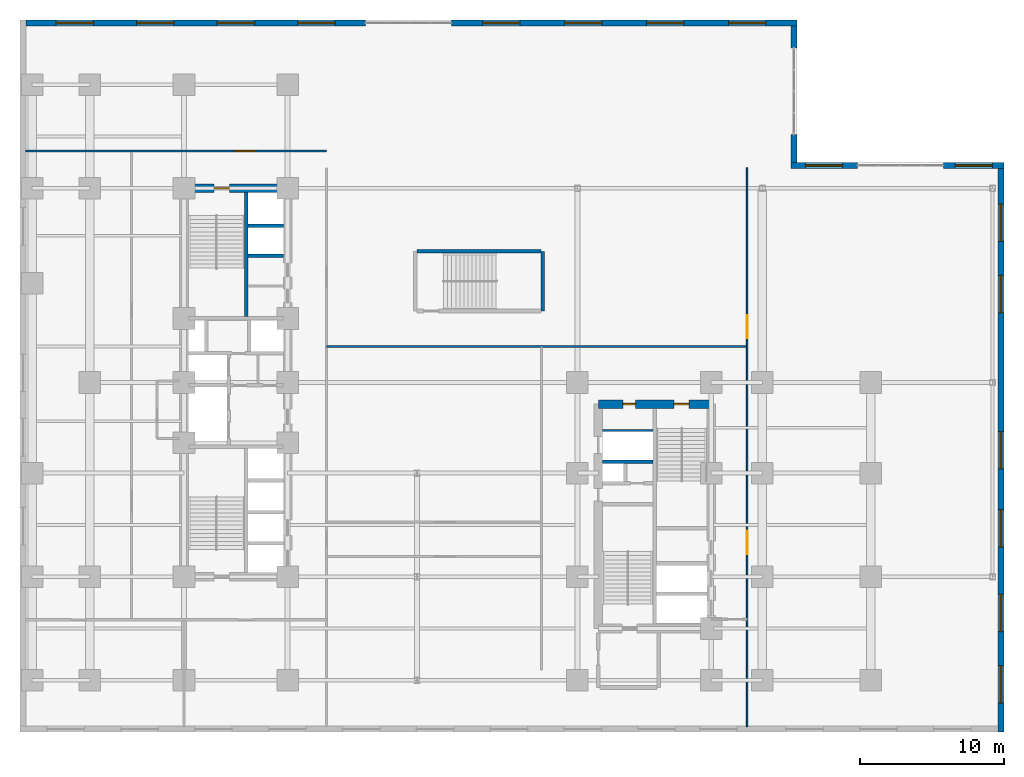
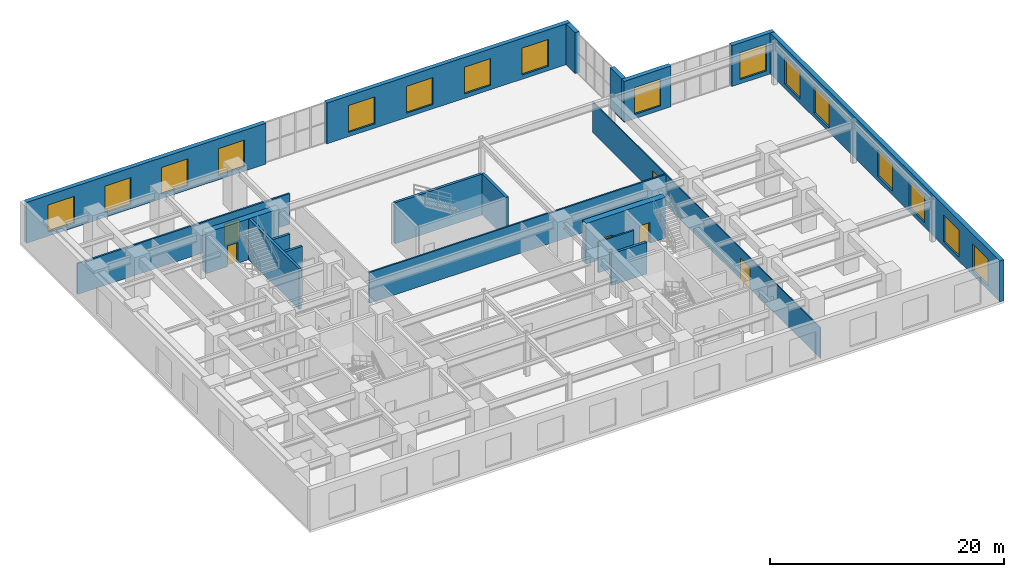
# One storey, part 11 of 15: 19 walls, 16 windows, 6 doors, 22 openings.
"""IFC4 building model written with IfcOpenShell, lengths in metres."""

from ifc_helpers import new_model, entity, si_unit, converted_unit, direction, frame, origin_with_axes, origin_2d_with_axis, place, context, subcontext, project, spatial, polyline, rectangle, outline, extrude, material, layer, layer_set, type_object, element, fill, save


model = new_model("IFC4")

# Units and contexts
model_context = context("Model", 3, precision=1e-05, world=origin_with_axes(), true_north=direction((0.0, 1.0)))
body_context = subcontext(model_context, "Body", "Model", "MODEL_VIEW")
ifc_project = project(units=[si_unit("LENGTHUNIT", "METRE"), si_unit("AREAUNIT", "SQUARE_METRE"), si_unit("VOLUMEUNIT", "CUBIC_METRE"), converted_unit("PLANEANGLEUNIT", "DEGREE", entity("IfcPlaneAngleMeasure", 0.017453292519943295), si_unit("PLANEANGLEUNIT", "RADIAN"), dimensions=[0, 0, 0, 0, 0, 0, 0]), si_unit("MASSUNIT", "GRAM", prefix="KILO"), si_unit("THERMODYNAMICTEMPERATUREUNIT", "KELVIN")], contexts=[model_context])

# Site, building, storey
site_placement = place(None, origin_with_axes())
site = spatial("IfcSite", under=ifc_project, at=site_placement, CompositionType="ELEMENT")
building_placement = place(site_placement, origin_with_axes())
building = spatial("IfcBuilding", under=site, at=building_placement, Name="Varnlund Millrace Tower", CompositionType="ELEMENT")
storey_placement = place(building_placement, frame((0.0, 0.0, 15.3), z_axis=(0.0, 0.0, 1.0), x_axis=(1.0, 0.0, 0.0)))
storey = spatial("IfcBuildingStorey", under=building, at=storey_placement, Name="L03", CompositionType="ELEMENT", Elevation=15.3)

# Wall, opening, door
ifc_material_1 = material(Name="Concrete C80/95", Category="concrete")
ifc_layer_1 = layer(ifc_material_1, 0.6, Name="Concrete C80/95")
ifc_layer_set_1 = layer_set([ifc_layer_1], Name="Concrete C80/95")
wall_type_1 = type_object("IfcWallType", Name="Type-CoreWall-Shear-600-C80", PredefinedType="SHEAR", material=ifc_layer_set_1)
wall_1_placement = place(storey_placement, frame((11.4, 37.8, 0.0), z_axis=(0.0, 0.0, 1.0), x_axis=(1.0, 0.0, 0.0)))
wall_1 = element("IfcWall", 1, at=wall_1_placement, inside=storey, type_object=wall_type_1, Name="Type-CoreWall-Shear-600-C80", PredefinedType="SHEAR", context=body_context, shape_type="SweptSolid", body=[
    extrude(outline(polyline([(0.0, -0.3), (7.2, -0.3), (7.2, 0.3), (0.0, 0.3), (0.0, -0.3)])), origin_with_axes(), (0.0, 0.0, 1.0), 4.26),
])
opening_1_placement = place(wall_1_placement, frame((2.625, 0.0, 0.0), z_axis=(0.0, 0.0, 1.0), x_axis=(1.0, 0.0, 0.0)))
opening_1 = element("IfcOpeningElement", 2, at=opening_1_placement, cuts=wall_1, Name="Opening L03:DR-STA2", PredefinedType="OPENING", context=body_context, shape_type="SweptSolid", body=[
    extrude(rectangle(XDim=1.05, YDim=0.62, at=origin_2d_with_axis()), origin_with_axes(), (0.0, 0.0, 1.0), 2.15),
])
ifc_material_2 = material(Name="Fire-rated hollow steel door", Category="steel")
door_type_1 = type_object("IfcDoorType", Name="Type-FireDoor-Stair-1050X2150", OperationType="NOTDEFINED", PredefinedType="DOOR", material=ifc_material_2)
door_1_placement = place(wall_1_placement, frame((2.625, 0.0, 0.0), z_axis=(0.0, 0.0, 1.0), x_axis=(1.0, 0.0, 0.0)))
door_1 = element("IfcDoor", 3, at=door_1_placement, inside=storey, type_object=door_type_1, Name="Type-FireDoor-Stair-1050X2150", OperationType="SINGLE_SWING_RIGHT", OverallHeight=2.15, OverallWidth=1.05, PredefinedType="DOOR", context=body_context, shape_type="SweptSolid", body=[
    extrude(rectangle(XDim=1.05, YDim=0.09, at=origin_2d_with_axis()), origin_with_axes(), (0.0, 0.0, 1.0), 2.15),
])
fill(opening_1, door_1)

# Wall, openings, doors
wall_2_placement = place(storey_placement, frame((40.2, 22.8, 0.0), z_axis=(0.0, 0.0, 1.0), x_axis=(1.0, 0.0, 0.0)))
wall_2 = element("IfcWall", 4, at=wall_2_placement, inside=storey, type_object=wall_type_1, Name="Type-CoreWall-Shear-600-C80", PredefinedType="SHEAR", context=body_context, shape_type="SweptSolid", body=[
    extrude(outline(polyline([(0.0, -0.3), (7.85, -0.3), (7.85, 0.3), (0.0, 0.3), (0.0, -0.3)])), origin_with_axes(), (0.0, 0.0, 1.0), 4.26),
])
opening_2_placement = place(wall_2_placement, frame((5.775, 0.0, 0.0), z_axis=(0.0, 0.0, 1.0), x_axis=(1.0, 0.0, 0.0)))
opening_2 = element("IfcOpeningElement", 5, at=opening_2_placement, cuts=wall_2, Name="Opening L03:DR-STB2", PredefinedType="OPENING", context=body_context, shape_type="SweptSolid", body=[
    extrude(rectangle(XDim=1.05, YDim=0.62, at=origin_2d_with_axis()), origin_with_axes(), (0.0, 0.0, 1.0), 2.15),
])
opening_3_placement = place(wall_2_placement, frame((2.15, 0.0, 0.0), z_axis=(0.0, 0.0, 1.0), x_axis=(1.0, 0.0, 0.0)))
opening_3 = element("IfcOpeningElement", 6, at=opening_3_placement, cuts=wall_2, Name="Opening L03:DR-CB-NW", PredefinedType="OPENING", context=body_context, shape_type="SweptSolid", body=[
    extrude(rectangle(XDim=0.9, YDim=0.62, at=origin_2d_with_axis()), origin_with_axes(), (0.0, 0.0, 1.0), 2.15),
])
ifc_material_3 = material(Name="Fire-rated hollow steel service closet door", Category="steel")
door_type_2 = type_object("IfcDoorType", Name="Type-FireDoor-Closet-900X2150", OperationType="NOTDEFINED", PredefinedType="DOOR", material=ifc_material_3)
door_2_placement = place(wall_2_placement, frame((2.15, 0.0, 0.0), z_axis=(0.0, 0.0, 1.0), x_axis=(1.0, 0.0, 0.0)))
door_2 = element("IfcDoor", 7, at=door_2_placement, inside=storey, type_object=door_type_2, Name="Type-FireDoor-Closet-900X2150", OperationType="SINGLE_SWING_LEFT", OverallHeight=2.15, OverallWidth=0.9, PredefinedType="DOOR", context=body_context, shape_type="SweptSolid", body=[
    extrude(rectangle(XDim=0.9, YDim=0.09, at=origin_2d_with_axis()), origin_with_axes(), (0.0, 0.0, 1.0), 2.15),
])
fill(opening_3, door_2)
door_3_placement = place(wall_2_placement, frame((5.775, 0.0, 0.0), z_axis=(0.0, 0.0, 1.0), x_axis=(1.0, 0.0, 0.0)))
door_3 = element("IfcDoor", 8, at=door_3_placement, inside=storey, type_object=door_type_1, Name="Type-FireDoor-Stair-1050X2150", OperationType="SINGLE_SWING_RIGHT", OverallHeight=2.15, OverallWidth=1.05, PredefinedType="DOOR", context=body_context, shape_type="SweptSolid", body=[
    extrude(rectangle(XDim=1.05, YDim=0.09, at=origin_2d_with_axis()), origin_with_axes(), (0.0, 0.0, 1.0), 2.15),
])
fill(opening_2, door_3)

# Wall, openings, windows
ifc_material_4 = material(Name="Precast concrete C50/60", Category="concrete")
ifc_layer_2 = layer(ifc_material_4, 0.42, Name="Precast concrete C50/60")
ifc_layer_set_2 = layer_set([ifc_layer_2], Name="Precast concrete C50/60")
wall_type_2 = type_object("IfcWallType", Name="Type-ExtWall-Precast-Pier-420", PredefinedType="SOLIDWALL", material=ifc_layer_set_2)
wall_3_placement = place(storey_placement, frame((0.42, 49.29, 0.0), z_axis=(0.0, 0.0, 1.0), x_axis=(1.0, 0.0, 0.0)))
wall_3 = element("IfcWall", 9, at=wall_3_placement, inside=storey, type_object=wall_type_2, Name="Type-ExtWall-Precast-Pier-420", PredefinedType="SOLIDWALL", context=body_context, shape_type="SweptSolid", body=[
    extrude(outline(polyline([(0.0, -0.21), (23.58, -0.21), (23.58, 0.21), (0.0, 0.21), (0.0, -0.21)])), origin_with_axes(), (0.0, 0.0, 1.0), 4.26),
])
opening_4_placement = place(wall_3_placement, frame((3.398, 0.0, 0.45), z_axis=(0.0, 0.0, 1.0), x_axis=(1.0, 0.0, 0.0)))
opening_4 = element("IfcOpeningElement", 10, at=opening_4_placement, cuts=wall_3, Name="Opening L03:WN-18", PredefinedType="OPENING", context=body_context, shape_type="SweptSolid", body=[
    extrude(rectangle(XDim=2.6, YDim=0.44, at=origin_2d_with_axis()), origin_with_axes(), (0.0, 0.0, 1.0), 2.8),
])
opening_5_placement = place(wall_3_placement, frame((8.992, 0.0, 0.45), z_axis=(0.0, 0.0, 1.0), x_axis=(1.0, 0.0, 0.0)))
opening_5 = element("IfcOpeningElement", 11, at=opening_5_placement, cuts=wall_3, Name="Opening L03:WN-19", PredefinedType="OPENING", context=body_context, shape_type="SweptSolid", body=[
    extrude(rectangle(XDim=2.6, YDim=0.44, at=origin_2d_with_axis()), origin_with_axes(), (0.0, 0.0, 1.0), 2.8),
])
opening_6_placement = place(wall_3_placement, frame((14.587, 0.0, 0.45), z_axis=(0.0, 0.0, 1.0), x_axis=(1.0, 0.0, 0.0)))
opening_6 = element("IfcOpeningElement", 12, at=opening_6_placement, cuts=wall_3, Name="Opening L03:WN-20", PredefinedType="OPENING", context=body_context, shape_type="SweptSolid", body=[
    extrude(rectangle(XDim=2.6, YDim=0.44, at=origin_2d_with_axis()), origin_with_axes(), (0.0, 0.0, 1.0), 2.8),
])
opening_7_placement = place(wall_3_placement, frame((20.183, 0.0, 0.45), z_axis=(0.0, 0.0, 1.0), x_axis=(1.0, 0.0, 0.0)))
opening_7 = element("IfcOpeningElement", 13, at=opening_7_placement, cuts=wall_3, Name="Opening L03:WN-21", PredefinedType="OPENING", context=body_context, shape_type="SweptSolid", body=[
    extrude(rectangle(XDim=2.6, YDim=0.44, at=origin_2d_with_axis()), origin_with_axes(), (0.0, 0.0, 1.0), 2.8),
])
ifc_material_5 = material(Name="Argon low-e triple glazing in thermally broken bronze frame", Category="glass")
window_type = type_object("IfcWindowType", Name="Type-Window-Podium-2600X2800", PartitioningType="SINGLE_PANEL", PredefinedType="WINDOW", material=ifc_material_5)
window_1_placement = place(wall_3_placement, frame((3.398, 0.0, 0.45), z_axis=(0.0, 0.0, 1.0), x_axis=(1.0, 0.0, 0.0)))
window_1 = element("IfcWindow", 14, at=window_1_placement, inside=storey, type_object=window_type, Name="Type-Window-Podium-2600X2800", OverallHeight=2.8, OverallWidth=2.6, PredefinedType="WINDOW", context=body_context, shape_type="SweptSolid", body=[
    extrude(rectangle(XDim=2.6, YDim=0.09, at=origin_2d_with_axis()), origin_with_axes(), (0.0, 0.0, 1.0), 2.8),
])
fill(opening_4, window_1)
window_2_placement = place(wall_3_placement, frame((8.992, 0.0, 0.45), z_axis=(0.0, 0.0, 1.0), x_axis=(1.0, 0.0, 0.0)))
window_2 = element("IfcWindow", 15, at=window_2_placement, inside=storey, type_object=window_type, Name="Type-Window-Podium-2600X2800", OverallHeight=2.8, OverallWidth=2.6, PredefinedType="WINDOW", context=body_context, shape_type="SweptSolid", body=[
    extrude(rectangle(XDim=2.6, YDim=0.09, at=origin_2d_with_axis()), origin_with_axes(), (0.0, 0.0, 1.0), 2.8),
])
fill(opening_5, window_2)
window_3_placement = place(wall_3_placement, frame((14.587, 0.0, 0.45), z_axis=(0.0, 0.0, 1.0), x_axis=(1.0, 0.0, 0.0)))
window_3 = element("IfcWindow", 16, at=window_3_placement, inside=storey, type_object=window_type, Name="Type-Window-Podium-2600X2800", OverallHeight=2.8, OverallWidth=2.6, PredefinedType="WINDOW", context=body_context, shape_type="SweptSolid", body=[
    extrude(rectangle(XDim=2.6, YDim=0.09, at=origin_2d_with_axis()), origin_with_axes(), (0.0, 0.0, 1.0), 2.8),
])
fill(opening_6, window_3)
window_4_placement = place(wall_3_placement, frame((20.183, 0.0, 0.45), z_axis=(0.0, 0.0, 1.0), x_axis=(1.0, 0.0, 0.0)))
window_4 = element("IfcWindow", 17, at=window_4_placement, inside=storey, type_object=window_type, Name="Type-Window-Podium-2600X2800", OverallHeight=2.8, OverallWidth=2.6, PredefinedType="WINDOW", context=body_context, shape_type="SweptSolid", body=[
    extrude(rectangle(XDim=2.6, YDim=0.09, at=origin_2d_with_axis()), origin_with_axes(), (0.0, 0.0, 1.0), 2.8),
])
fill(opening_7, window_4)

wall_4_placement = place(storey_placement, frame((30.0, 49.29, 0.0), z_axis=(0.0, 0.0, 1.0), x_axis=(1.0, 0.0, 0.0)))
wall_4 = element("IfcWall", 18, at=wall_4_placement, inside=storey, type_object=wall_type_2, Name="Type-ExtWall-Precast-Pier-420", PredefinedType="SOLIDWALL", context=body_context, shape_type="SweptSolid", body=[
    extrude(outline(polyline([(0.0, -0.21), (24.0, -0.21), (24.0, 0.21), (0.0, 0.21), (0.0, -0.21)])), origin_with_axes(), (0.0, 0.0, 1.0), 4.26),
])
opening_8_placement = place(wall_4_placement, frame((3.45, 0.0, 0.45), z_axis=(0.0, 0.0, 1.0), x_axis=(1.0, 0.0, 0.0)))
opening_8 = element("IfcOpeningElement", 19, at=opening_8_placement, cuts=wall_4, Name="Opening L03:WN-22", PredefinedType="OPENING", context=body_context, shape_type="SweptSolid", body=[
    extrude(rectangle(XDim=2.6, YDim=0.44, at=origin_2d_with_axis()), origin_with_axes(), (0.0, 0.0, 1.0), 2.8),
])
opening_9_placement = place(wall_4_placement, frame((9.15, 0.0, 0.45), z_axis=(0.0, 0.0, 1.0), x_axis=(1.0, 0.0, 0.0)))
opening_9 = element("IfcOpeningElement", 20, at=opening_9_placement, cuts=wall_4, Name="Opening L03:WN-23", PredefinedType="OPENING", context=body_context, shape_type="SweptSolid", body=[
    extrude(rectangle(XDim=2.6, YDim=0.44, at=origin_2d_with_axis()), origin_with_axes(), (0.0, 0.0, 1.0), 2.8),
])
opening_10_placement = place(wall_4_placement, frame((14.85, 0.0, 0.45), z_axis=(0.0, 0.0, 1.0), x_axis=(1.0, 0.0, 0.0)))
opening_10 = element("IfcOpeningElement", 21, at=opening_10_placement, cuts=wall_4, Name="Opening L03:WN-24", PredefinedType="OPENING", context=body_context, shape_type="SweptSolid", body=[
    extrude(rectangle(XDim=2.6, YDim=0.44, at=origin_2d_with_axis()), origin_with_axes(), (0.0, 0.0, 1.0), 2.8),
])
opening_11_placement = place(wall_4_placement, frame((20.55, 0.0, 0.45), z_axis=(0.0, 0.0, 1.0), x_axis=(1.0, 0.0, 0.0)))
opening_11 = element("IfcOpeningElement", 22, at=opening_11_placement, cuts=wall_4, Name="Opening L03:WN-25", PredefinedType="OPENING", context=body_context, shape_type="SweptSolid", body=[
    extrude(rectangle(XDim=2.6, YDim=0.44, at=origin_2d_with_axis()), origin_with_axes(), (0.0, 0.0, 1.0), 2.8),
])
window_5_placement = place(wall_4_placement, frame((3.45, 0.0, 0.45), z_axis=(0.0, 0.0, 1.0), x_axis=(1.0, 0.0, 0.0)))
window_5 = element("IfcWindow", 23, at=window_5_placement, inside=storey, type_object=window_type, Name="Type-Window-Podium-2600X2800", OverallHeight=2.8, OverallWidth=2.6, PredefinedType="WINDOW", context=body_context, shape_type="SweptSolid", body=[
    extrude(rectangle(XDim=2.6, YDim=0.09, at=origin_2d_with_axis()), origin_with_axes(), (0.0, 0.0, 1.0), 2.8),
])
fill(opening_8, window_5)
window_6_placement = place(wall_4_placement, frame((9.15, 0.0, 0.45), z_axis=(0.0, 0.0, 1.0), x_axis=(1.0, 0.0, 0.0)))
window_6 = element("IfcWindow", 24, at=window_6_placement, inside=storey, type_object=window_type, Name="Type-Window-Podium-2600X2800", OverallHeight=2.8, OverallWidth=2.6, PredefinedType="WINDOW", context=body_context, shape_type="SweptSolid", body=[
    extrude(rectangle(XDim=2.6, YDim=0.09, at=origin_2d_with_axis()), origin_with_axes(), (0.0, 0.0, 1.0), 2.8),
])
fill(opening_9, window_6)
window_7_placement = place(wall_4_placement, frame((14.85, 0.0, 0.45), z_axis=(0.0, 0.0, 1.0), x_axis=(1.0, 0.0, 0.0)))
window_7 = element("IfcWindow", 25, at=window_7_placement, inside=storey, type_object=window_type, Name="Type-Window-Podium-2600X2800", OverallHeight=2.8, OverallWidth=2.6, PredefinedType="WINDOW", context=body_context, shape_type="SweptSolid", body=[
    extrude(rectangle(XDim=2.6, YDim=0.09, at=origin_2d_with_axis()), origin_with_axes(), (0.0, 0.0, 1.0), 2.8),
])
fill(opening_10, window_7)
window_8_placement = place(wall_4_placement, frame((20.55, 0.0, 0.45), z_axis=(0.0, 0.0, 1.0), x_axis=(1.0, 0.0, 0.0)))
window_8 = element("IfcWindow", 26, at=window_8_placement, inside=storey, type_object=window_type, Name="Type-Window-Podium-2600X2800", OverallHeight=2.8, OverallWidth=2.6, PredefinedType="WINDOW", context=body_context, shape_type="SweptSolid", body=[
    extrude(rectangle(XDim=2.6, YDim=0.09, at=origin_2d_with_axis()), origin_with_axes(), (0.0, 0.0, 1.0), 2.8),
])
fill(opening_11, window_8)

# Walls
wall_5_placement = place(storey_placement, frame((53.79, 49.08, 0.0), z_axis=(0.0, 0.0, 1.0), x_axis=(0.0, -1.0, 0.0)))
element("IfcWall", 27, at=wall_5_placement, inside=storey, type_object=wall_type_2, Name="Type-ExtWall-Precast-Pier-420", PredefinedType="SOLIDWALL", context=body_context, shape_type="SweptSolid", body=[
    extrude(outline(polyline([(0.0, -0.21), (1.53, -0.21), (1.53, 0.21), (0.0, 0.21), (0.0, -0.21)])), origin_with_axes(), (0.0, 0.0, 1.0), 4.26),
])
wall_6_placement = place(storey_placement, frame((53.79, 41.55, 0.0), z_axis=(0.0, 0.0, 1.0), x_axis=(0.0, -1.0, 0.0)))
element("IfcWall", 28, at=wall_6_placement, inside=storey, type_object=wall_type_2, Name="Type-ExtWall-Precast-Pier-420", PredefinedType="SOLIDWALL", context=body_context, shape_type="SweptSolid", body=[
    extrude(outline(polyline([(0.0, -0.21), (1.95, -0.21), (1.95, 0.21), (0.0, 0.21), (0.0, -0.21)])), origin_with_axes(), (0.0, 0.0, 1.0), 4.26),
])

# Wall, opening, window
wall_7_placement = place(storey_placement, frame((53.58, 39.39, 0.0), z_axis=(0.0, 0.0, 1.0), x_axis=(1.0, 0.0, 0.0)))
wall_7 = element("IfcWall", 29, at=wall_7_placement, inside=storey, type_object=wall_type_2, Name="Type-ExtWall-Precast-Pier-420", PredefinedType="SOLIDWALL", context=body_context, shape_type="SweptSolid", body=[
    extrude(outline(polyline([(0.0, -0.21), (4.62, -0.21), (4.62, 0.21), (0.0, 0.21), (0.0, -0.21)])), origin_with_axes(), (0.0, 0.0, 1.0), 4.26),
])
opening_12_placement = place(wall_7_placement, frame((2.31, 0.0, 0.45), z_axis=(0.0, 0.0, 1.0), x_axis=(1.0, 0.0, 0.0)))
opening_12 = element("IfcOpeningElement", 30, at=opening_12_placement, cuts=wall_7, Name="Opening L03:WN-26", PredefinedType="OPENING", context=body_context, shape_type="SweptSolid", body=[
    extrude(rectangle(XDim=2.6, YDim=0.44, at=origin_2d_with_axis()), origin_with_axes(), (0.0, 0.0, 1.0), 2.8),
])
window_9_placement = place(wall_7_placement, frame((2.31, 0.0, 0.45), z_axis=(0.0, 0.0, 1.0), x_axis=(1.0, 0.0, 0.0)))
window_9 = element("IfcWindow", 31, at=window_9_placement, inside=storey, type_object=window_type, Name="Type-Window-Podium-2600X2800", OverallHeight=2.8, OverallWidth=2.6, PredefinedType="WINDOW", context=body_context, shape_type="SweptSolid", body=[
    extrude(rectangle(XDim=2.6, YDim=0.09, at=origin_2d_with_axis()), origin_with_axes(), (0.0, 0.0, 1.0), 2.8),
])
fill(opening_12, window_9)

wall_8_placement = place(storey_placement, frame((64.2, 39.39, 0.0), z_axis=(0.0, 0.0, 1.0), x_axis=(1.0, 0.0, 0.0)))
wall_8 = element("IfcWall", 32, at=wall_8_placement, inside=storey, type_object=wall_type_2, Name="Type-ExtWall-Precast-Pier-420", PredefinedType="SOLIDWALL", context=body_context, shape_type="SweptSolid", body=[
    extrude(outline(polyline([(0.0, -0.21), (4.2, -0.21), (4.2, 0.21), (0.0, 0.21), (0.0, -0.21)])), origin_with_axes(), (0.0, 0.0, 1.0), 4.26),
])
opening_13_placement = place(wall_8_placement, frame((2.1, 0.0, 0.45), z_axis=(0.0, 0.0, 1.0), x_axis=(1.0, 0.0, 0.0)))
opening_13 = element("IfcOpeningElement", 33, at=opening_13_placement, cuts=wall_8, Name="Opening L03:WN-27", PredefinedType="OPENING", context=body_context, shape_type="SweptSolid", body=[
    extrude(rectangle(XDim=2.6, YDim=0.44, at=origin_2d_with_axis()), origin_with_axes(), (0.0, 0.0, 1.0), 2.8),
])
window_10_placement = place(wall_8_placement, frame((2.1, 0.0, 0.45), z_axis=(0.0, 0.0, 1.0), x_axis=(1.0, 0.0, 0.0)))
window_10 = element("IfcWindow", 34, at=window_10_placement, inside=storey, type_object=window_type, Name="Type-Window-Podium-2600X2800", OverallHeight=2.8, OverallWidth=2.6, PredefinedType="WINDOW", context=body_context, shape_type="SweptSolid", body=[
    extrude(rectangle(XDim=2.6, YDim=0.09, at=origin_2d_with_axis()), origin_with_axes(), (0.0, 0.0, 1.0), 2.8),
])
fill(opening_13, window_10)

# Wall, openings, windows
wall_9_placement = place(storey_placement, frame((68.19, 39.18, 0.0), z_axis=(0.0, 0.0, 1.0), x_axis=(0.0, -1.0, 0.0)))
wall_9 = element("IfcWall", 35, at=wall_9_placement, inside=storey, type_object=wall_type_2, Name="Type-ExtWall-Precast-Pier-420", PredefinedType="SOLIDWALL", context=body_context, shape_type="SweptSolid", body=[
    extrude(outline(polyline([(0.0, -0.21), (39.18, -0.21), (39.18, 0.21), (0.0, 0.21), (0.0, -0.21)])), origin_with_axes(), (0.0, 0.0, 1.0), 4.26),
])
opening_14_placement = place(wall_9_placement, frame((3.763, 0.0, 0.45), z_axis=(0.0, 0.0, 1.0), x_axis=(1.0, 0.0, 0.0)))
opening_14 = element("IfcOpeningElement", 36, at=opening_14_placement, cuts=wall_9, Name="Opening L03:WN-28", PredefinedType="OPENING", context=body_context, shape_type="SweptSolid", body=[
    extrude(rectangle(XDim=2.6, YDim=0.44, at=origin_2d_with_axis()), origin_with_axes(), (0.0, 0.0, 1.0), 2.8),
])
opening_15_placement = place(wall_9_placement, frame((8.739, 0.0, 0.45), z_axis=(0.0, 0.0, 1.0), x_axis=(1.0, 0.0, 0.0)))
opening_15 = element("IfcOpeningElement", 37, at=opening_15_placement, cuts=wall_9, Name="Opening L03:WN-29", PredefinedType="OPENING", context=body_context, shape_type="SweptSolid", body=[
    extrude(rectangle(XDim=2.6, YDim=0.44, at=origin_2d_with_axis()), origin_with_axes(), (0.0, 0.0, 1.0), 2.8),
])
opening_16_placement = place(wall_9_placement, frame((19.59, 0.0, 0.45), z_axis=(0.0, 0.0, 1.0), x_axis=(1.0, 0.0, 0.0)))
opening_16 = element("IfcOpeningElement", 38, at=opening_16_placement, cuts=wall_9, Name="Opening L03:WN-30", PredefinedType="OPENING", context=body_context, shape_type="SweptSolid", body=[
    extrude(rectangle(XDim=2.6, YDim=0.44, at=origin_2d_with_axis()), origin_with_axes(), (0.0, 0.0, 1.0), 2.8),
])
opening_17_placement = place(wall_9_placement, frame((25.016, 0.0, 0.45), z_axis=(0.0, 0.0, 1.0), x_axis=(1.0, 0.0, 0.0)))
opening_17 = element("IfcOpeningElement", 39, at=opening_17_placement, cuts=wall_9, Name="Opening L03:WN-31", PredefinedType="OPENING", context=body_context, shape_type="SweptSolid", body=[
    extrude(rectangle(XDim=2.6, YDim=0.44, at=origin_2d_with_axis()), origin_with_axes(), (0.0, 0.0, 1.0), 2.8),
])
opening_18_placement = place(wall_9_placement, frame((30.891, 0.0, 0.45), z_axis=(0.0, 0.0, 1.0), x_axis=(1.0, 0.0, 0.0)))
opening_18 = element("IfcOpeningElement", 40, at=opening_18_placement, cuts=wall_9, Name="Opening L03:WN-32", PredefinedType="OPENING", context=body_context, shape_type="SweptSolid", body=[
    extrude(rectangle(XDim=2.6, YDim=0.44, at=origin_2d_with_axis()), origin_with_axes(), (0.0, 0.0, 1.0), 2.8),
])
opening_19_placement = place(wall_9_placement, frame((35.867, 0.0, 0.45), z_axis=(0.0, 0.0, 1.0), x_axis=(1.0, 0.0, 0.0)))
opening_19 = element("IfcOpeningElement", 41, at=opening_19_placement, cuts=wall_9, Name="Opening L03:WN-33", PredefinedType="OPENING", context=body_context, shape_type="SweptSolid", body=[
    extrude(rectangle(XDim=2.6, YDim=0.44, at=origin_2d_with_axis()), origin_with_axes(), (0.0, 0.0, 1.0), 2.8),
])
window_11_placement = place(wall_9_placement, frame((3.763, 0.0, 0.45), z_axis=(0.0, 0.0, 1.0), x_axis=(1.0, 0.0, 0.0)))
window_11 = element("IfcWindow", 42, at=window_11_placement, inside=storey, type_object=window_type, Name="Type-Window-Podium-2600X2800", OverallHeight=2.8, OverallWidth=2.6, PredefinedType="WINDOW", context=body_context, shape_type="SweptSolid", body=[
    extrude(rectangle(XDim=2.6, YDim=0.09, at=origin_2d_with_axis()), origin_with_axes(), (0.0, 0.0, 1.0), 2.8),
])
fill(opening_14, window_11)
window_12_placement = place(wall_9_placement, frame((8.739, 0.0, 0.45), z_axis=(0.0, 0.0, 1.0), x_axis=(1.0, 0.0, 0.0)))
window_12 = element("IfcWindow", 43, at=window_12_placement, inside=storey, type_object=window_type, Name="Type-Window-Podium-2600X2800", OverallHeight=2.8, OverallWidth=2.6, PredefinedType="WINDOW", context=body_context, shape_type="SweptSolid", body=[
    extrude(rectangle(XDim=2.6, YDim=0.09, at=origin_2d_with_axis()), origin_with_axes(), (0.0, 0.0, 1.0), 2.8),
])
fill(opening_15, window_12)
window_13_placement = place(wall_9_placement, frame((19.59, 0.0, 0.45), z_axis=(0.0, 0.0, 1.0), x_axis=(1.0, 0.0, 0.0)))
window_13 = element("IfcWindow", 44, at=window_13_placement, inside=storey, type_object=window_type, Name="Type-Window-Podium-2600X2800", OverallHeight=2.8, OverallWidth=2.6, PredefinedType="WINDOW", context=body_context, shape_type="SweptSolid", body=[
    extrude(rectangle(XDim=2.6, YDim=0.09, at=origin_2d_with_axis()), origin_with_axes(), (0.0, 0.0, 1.0), 2.8),
])
fill(opening_16, window_13)
window_14_placement = place(wall_9_placement, frame((25.016, 0.0, 0.45), z_axis=(0.0, 0.0, 1.0), x_axis=(1.0, 0.0, 0.0)))
window_14 = element("IfcWindow", 45, at=window_14_placement, inside=storey, type_object=window_type, Name="Type-Window-Podium-2600X2800", OverallHeight=2.8, OverallWidth=2.6, PredefinedType="WINDOW", context=body_context, shape_type="SweptSolid", body=[
    extrude(rectangle(XDim=2.6, YDim=0.09, at=origin_2d_with_axis()), origin_with_axes(), (0.0, 0.0, 1.0), 2.8),
])
fill(opening_17, window_14)
window_15_placement = place(wall_9_placement, frame((30.891, 0.0, 0.45), z_axis=(0.0, 0.0, 1.0), x_axis=(1.0, 0.0, 0.0)))
window_15 = element("IfcWindow", 46, at=window_15_placement, inside=storey, type_object=window_type, Name="Type-Window-Podium-2600X2800", OverallHeight=2.8, OverallWidth=2.6, PredefinedType="WINDOW", context=body_context, shape_type="SweptSolid", body=[
    extrude(rectangle(XDim=2.6, YDim=0.09, at=origin_2d_with_axis()), origin_with_axes(), (0.0, 0.0, 1.0), 2.8),
])
fill(opening_18, window_15)
window_16_placement = place(wall_9_placement, frame((35.867, 0.0, 0.45), z_axis=(0.0, 0.0, 1.0), x_axis=(1.0, 0.0, 0.0)))
window_16 = element("IfcWindow", 47, at=window_16_placement, inside=storey, type_object=window_type, Name="Type-Window-Podium-2600X2800", OverallHeight=2.8, OverallWidth=2.6, PredefinedType="WINDOW", context=body_context, shape_type="SweptSolid", body=[
    extrude(rectangle(XDim=2.6, YDim=0.09, at=origin_2d_with_axis()), origin_with_axes(), (0.0, 0.0, 1.0), 2.8),
])
fill(opening_19, window_16)

# Wall
ifc_material_6 = material(Name="Fire-rated gypsum board on cold-formed steel framing", Category="steel")
ifc_layer_3 = layer(ifc_material_6, 0.16, Name="Fire-rated gypsum board on cold-formed steel framing")
ifc_layer_set_3 = layer_set([ifc_layer_3], Name="Fire-rated gypsum board on cold-formed steel framing")
wall_type_3 = type_object("IfcWallType", Name="Type-Partition-Corridor-160", PredefinedType="PARTITIONING", material=ifc_layer_set_3)
wall_10_placement = place(storey_placement, frame((40.5, 20.96, 0.0), z_axis=(0.0, 0.0, 1.0), x_axis=(1.0, 0.0, 0.0)))
element("IfcWall", 48, at=wall_10_placement, inside=storey, type_object=wall_type_3, Name="Type-Partition-Corridor-160", PredefinedType="PARTITIONING", context=body_context, shape_type="SweptSolid", body=[
    extrude(outline(polyline([(0.0, -0.08), (3.5, -0.08), (3.5, 0.08), (0.0, 0.08), (0.0, -0.08)])), origin_with_axes(), (0.0, 0.0, 1.0), 3.2),
])

# Wall, opening, door
wall_11_placement = place(storey_placement, frame((0.38, 40.4, 0.0), z_axis=(0.0, 0.0, 1.0), x_axis=(1.0, 0.0, 0.0)))
wall_11 = element("IfcWall", 49, at=wall_11_placement, inside=storey, type_object=wall_type_3, Name="Type-Partition-Corridor-160", PredefinedType="PARTITIONING", context=body_context, shape_type="SweptSolid", body=[
    extrude(outline(polyline([(0.0, -0.08), (20.92, -0.08), (20.92, 0.08), (0.0, 0.08), (0.0, -0.08)])), origin_with_axes(), (0.0, 0.0, 1.0), 3.2),
])
opening_20_placement = place(wall_11_placement, frame((15.25, 0.0, 0.0), z_axis=(0.0, 0.0, 1.0), x_axis=(1.0, 0.0, 0.0)))
opening_20 = element("IfcOpeningElement", 50, at=opening_20_placement, cuts=wall_11, Name="Opening L03:DR-POD-NW", PredefinedType="OPENING", context=body_context, shape_type="SweptSolid", body=[
    extrude(rectangle(XDim=1.5, YDim=0.18, at=origin_2d_with_axis()), origin_with_axes(), (0.0, 0.0, 1.0), 2.2),
])
ifc_material_7 = material(Name="Architectural bronze and acoustic glass double door", Category="glass")
door_type_3 = type_object("IfcDoorType", Name="Type-IntDoor-SuitePair-1500X2200", OperationType="NOTDEFINED", PredefinedType="DOOR", material=ifc_material_7)
door_4_placement = place(wall_11_placement, frame((15.25, 0.0, 0.0), z_axis=(0.0, 0.0, 1.0), x_axis=(1.0, 0.0, 0.0)))
door_4 = element("IfcDoor", 51, at=door_4_placement, inside=storey, type_object=door_type_3, Name="Type-IntDoor-SuitePair-1500X2200", OperationType="DOUBLE_DOOR_SINGLE_SWING", OverallHeight=2.2, OverallWidth=1.5, PredefinedType="DOOR", context=body_context, shape_type="SweptSolid", body=[
    extrude(rectangle(XDim=1.5, YDim=0.09, at=origin_2d_with_axis()), origin_with_axes(), (0.0, 0.0, 1.0), 2.2),
])
fill(opening_20, door_4)

# Wall
ifc_material_8 = material(Name="Acoustic STC-50 gypsum board partition", Category="gypsum")
ifc_layer_4 = layer(ifc_material_8, 0.15, Name="Acoustic STC-50 gypsum board partition")
ifc_layer_set_4 = layer_set([ifc_layer_4], Name="Acoustic STC-50 gypsum board partition")
wall_type_4 = type_object("IfcWallType", Name="Type-Partition-Demising-150", PredefinedType="PARTITIONING", material=ifc_layer_set_4)
wall_12_placement = place(storey_placement, frame((21.3, 26.8, 0.0), z_axis=(0.0, 0.0, 1.0), x_axis=(1.0, 0.0, 0.0)))
element("IfcWall", 52, at=wall_12_placement, inside=storey, type_object=wall_type_4, Name="Type-Partition-Demising-150", PredefinedType="PARTITIONING", context=body_context, shape_type="SweptSolid", body=[
    extrude(outline(polyline([(0.0, -0.075), (29.25, -0.075), (29.25, 0.075), (0.0, 0.075), (0.0, -0.075)])), origin_with_axes(), (0.0, 0.0, 1.0), 3.2),
])

# Wall, openings, doors
ifc_material_9 = material(Name="Architectural bronze and acoustic glass office front", Category="glass")
ifc_layer_5 = layer(ifc_material_9, 0.1, Name="Architectural bronze and acoustic glass office front")
ifc_layer_set_5 = layer_set([ifc_layer_5], Name="Architectural bronze and acoustic glass office front")
wall_type_5 = type_object("IfcWallType", Name="Type-Partition-Glazed-100", PredefinedType="PARTITIONING", material=ifc_layer_set_5)
wall_13_placement = place(storey_placement, frame((50.55, 0.38, 0.0), z_axis=(0.0, 0.0, 1.0), x_axis=(0.0, 1.0, 0.0)))
wall_13 = element("IfcWall", 53, at=wall_13_placement, inside=storey, type_object=wall_type_5, Name="Type-Partition-Glazed-100", PredefinedType="PARTITIONING", context=body_context, shape_type="SweptSolid", body=[
    extrude(outline(polyline([(0.0, -0.05), (38.84, -0.05), (38.84, 0.05), (0.0, 0.05), (0.0, -0.05)])), origin_with_axes(), (0.0, 0.0, 1.0), 3.2),
])
opening_21_placement = place(wall_13_placement, frame((12.8, 0.0, 0.0), z_axis=(0.0, 0.0, 1.0), x_axis=(1.0, 0.0, 0.0)))
opening_21 = element("IfcOpeningElement", 54, at=opening_21_placement, cuts=wall_13, Name="Opening L03:DR-POD-RV1", PredefinedType="OPENING", context=body_context, shape_type="SweptSolid", body=[
    extrude(rectangle(XDim=1.6, YDim=0.12, at=origin_2d_with_axis()), origin_with_axes(), (0.0, 0.0, 1.0), 2.2),
])
opening_22_placement = place(wall_13_placement, frame((27.8, 0.0, 0.0), z_axis=(0.0, 0.0, 1.0), x_axis=(1.0, 0.0, 0.0)))
opening_22 = element("IfcOpeningElement", 55, at=opening_22_placement, cuts=wall_13, Name="Opening L03:DR-POD-RV2", PredefinedType="OPENING", context=body_context, shape_type="SweptSolid", body=[
    extrude(rectangle(XDim=1.6, YDim=0.12, at=origin_2d_with_axis()), origin_with_axes(), (0.0, 0.0, 1.0), 2.2),
])
ifc_material_10 = material(Name="Architectural bronze concourse double door")
door_type_4 = type_object("IfcDoorType", Name="Type-IntDoor-SuitePair-1600X2200", OperationType="NOTDEFINED", PredefinedType="DOOR", material=ifc_material_10)
door_5_placement = place(wall_13_placement, frame((12.8, 0.0, 0.0), z_axis=(0.0, 0.0, 1.0), x_axis=(1.0, 0.0, 0.0)))
door_5 = element("IfcDoor", 56, at=door_5_placement, inside=storey, type_object=door_type_4, Name="Type-IntDoor-SuitePair-1600X2200", OperationType="DOUBLE_DOOR_SINGLE_SWING", OverallHeight=2.2, OverallWidth=1.6, PredefinedType="DOOR", context=body_context, shape_type="SweptSolid", body=[
    extrude(rectangle(XDim=1.6, YDim=0.06, at=origin_2d_with_axis()), origin_with_axes(), (0.0, 0.0, 1.0), 2.2),
])
fill(opening_21, door_5)
door_6_placement = place(wall_13_placement, frame((27.8, 0.0, 0.0), z_axis=(0.0, 0.0, 1.0), x_axis=(1.0, 0.0, 0.0)))
door_6 = element("IfcDoor", 57, at=door_6_placement, inside=storey, type_object=door_type_4, Name="Type-IntDoor-SuitePair-1600X2200", OperationType="DOUBLE_DOOR_SINGLE_SWING", OverallHeight=2.2, OverallWidth=1.6, PredefinedType="DOOR", context=body_context, shape_type="SweptSolid", body=[
    extrude(rectangle(XDim=1.6, YDim=0.06, at=origin_2d_with_axis()), origin_with_axes(), (0.0, 0.0, 1.0), 2.2),
])
fill(opening_22, door_6)

# Walls
ifc_material_11 = material(Name="Concrete C60/75", Category="concrete")
ifc_layer_6 = layer(ifc_material_11, 0.25, Name="Concrete C60/75")
ifc_layer_set_6 = layer_set([ifc_layer_6], Name="Concrete C60/75")
wall_type_6 = type_object("IfcWallType", Name="Type-ShaftWall-Fire-250", PredefinedType="SOLIDWALL", material=ifc_layer_set_6)
wall_14_placement = place(storey_placement, frame((40.5, 18.8, 0.0), z_axis=(0.0, 0.0, 1.0), x_axis=(1.0, 0.0, 0.0)))
element("IfcWall", 58, at=wall_14_placement, inside=storey, type_object=wall_type_6, Name="Type-ShaftWall-Fire-250", PredefinedType="SOLIDWALL", context=body_context, shape_type="SweptSolid", body=[
    extrude(outline(polyline([(0.0, -0.125), (3.5, -0.125), (3.5, 0.125), (0.0, 0.125), (0.0, -0.125)])), origin_with_axes(), (0.0, 0.0, 1.0), 3.3),
])
for number, where, z_axis, x_axis, name in (
    (59, (15.84, 33.1, 0.0), (0.0, 0.0, 1.0), (1.0, 0.0, 0.0), "Type-ShaftWall-Fire-250"),
    (60, (15.84, 35.2, 0.0), (0.0, 0.0, 1.0), (1.0, 0.0, 0.0), "Type-ShaftWall-Fire-250"),
):
    element("IfcWall", number, at=place(storey_placement, frame(where, z_axis=z_axis, x_axis=x_axis)), inside=storey, type_object=wall_type_6, Name=name, PredefinedType="SOLIDWALL", context=body_context, shape_type="SweptSolid", body=[
        extrude(outline(polyline([(0.0, -0.125), (2.46, -0.125), (2.46, 0.125), (0.0, 0.125), (0.0, -0.125)])), origin_with_axes(), (0.0, 0.0, 1.0), 3.2),
    ])
wall_type_7 = type_object("IfcWallType", Name="Type-StairWall-Shear-250", PredefinedType="SHEAR", material=ifc_layer_set_6)
wall_15_placement = place(storey_placement, frame((15.725, 28.9, 0.0), z_axis=(0.0, 0.0, 1.0), x_axis=(0.0, 1.0, 0.0)))
element("IfcWall", 61, at=wall_15_placement, inside=storey, type_object=wall_type_7, Name="Type-StairWall-Shear-250", PredefinedType="SHEAR", context=body_context, shape_type="SweptSolid", body=[
    extrude(outline(polyline([(0.0, -0.125), (8.6, -0.125), (8.6, 0.125), (0.0, 0.125), (0.0, -0.125)])), origin_with_axes(), (0.0, 0.0, 1.0), 4.26),
])
wall_16_placement = place(storey_placement, frame((36.325, 29.275, 0.0), z_axis=(0.0, 0.0, 1.0), x_axis=(0.0, 1.0, 0.0)))
element("IfcWall", 62, at=wall_16_placement, inside=storey, type_object=wall_type_7, Name="Type-StairWall-Shear-250", PredefinedType="SHEAR", context=body_context, shape_type="SweptSolid", body=[
    extrude(outline(polyline([(0.0, -0.125), (4.15, -0.125), (4.15, 0.125), (0.0, 0.125), (0.0, -0.125)])), origin_with_axes(), (0.0, 0.0, 1.0), 4.26),
])
wall_17_placement = place(storey_placement, frame((27.6, 33.425, 0.0), z_axis=(0.0, 0.0, 1.0), x_axis=(1.0, 0.0, 0.0)))
element("IfcWall", 63, at=wall_17_placement, inside=storey, type_object=wall_type_7, Name="Type-StairWall-Shear-250", PredefinedType="SHEAR", context=body_context, shape_type="SweptSolid", body=[
    extrude(outline(polyline([(0.0, -0.125), (8.6, -0.125), (8.6, 0.125), (0.0, 0.125), (0.0, -0.125)])), origin_with_axes(), (0.0, 0.0, 1.0), 4.26),
])

save(model, "model.ifc")
